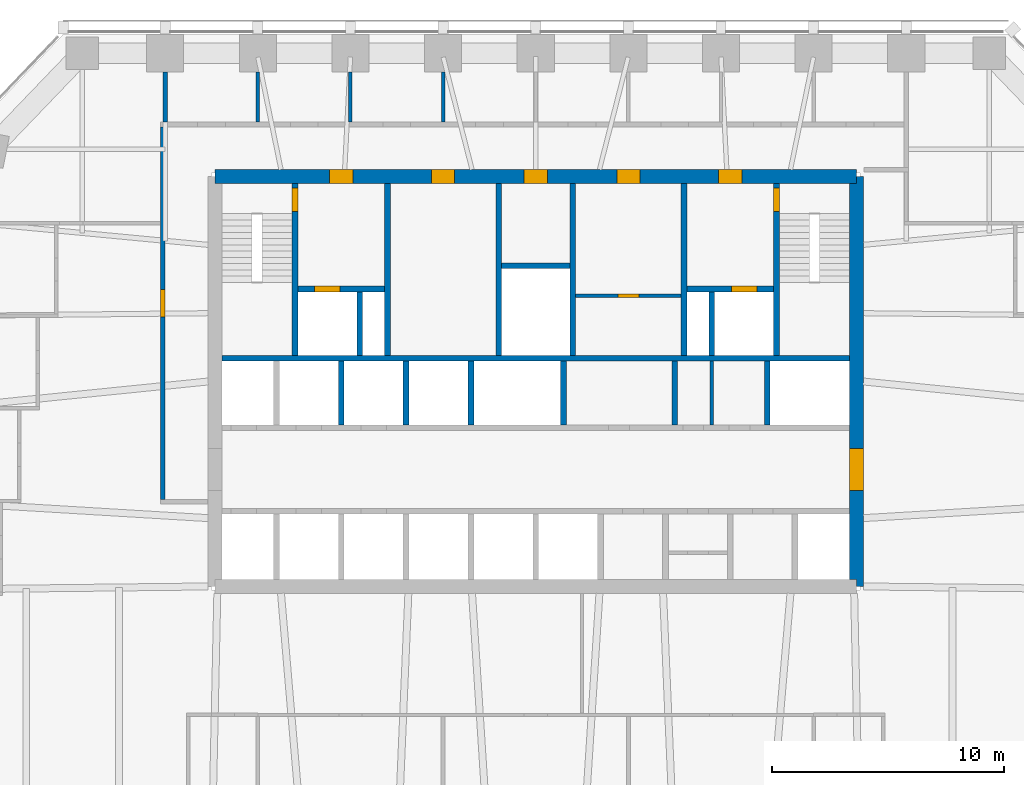
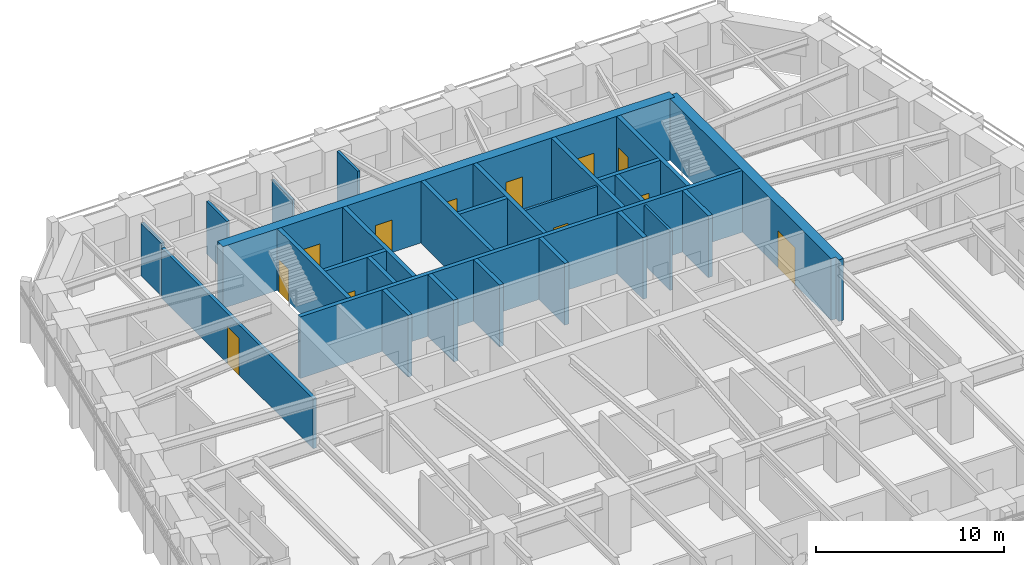
# One storey, part 8 of 11: 27 walls, 12 doors, 12 openings.
"""IFC4 building model written with IfcOpenShell, lengths in metres."""

from ifc_helpers import new_model, si_unit, direction, frame, frame_2d, origin, place, context, subcontext, project, spatial, polyline, rectangle, outline, extrude, material, layer, layer_set, type_object, element, fill, save


model = new_model("IFC4")

# Units and contexts
model_context = context("Model", 3, precision=1e-05, world=origin(), true_north=direction((0.0, 1.0)))
body_context = subcontext(model_context, "Body", "Model", "MODEL_VIEW")
ifc_project = project(units=[si_unit("LENGTHUNIT", "METRE"), si_unit("AREAUNIT", "SQUARE_METRE"), si_unit("VOLUMEUNIT", "CUBIC_METRE"), si_unit("PLANEANGLEUNIT", "RADIAN"), si_unit("MASSUNIT", "GRAM", prefix="KILO")], contexts=[model_context])

# Site, building, storey
site_placement = place(None, origin())
site = spatial("IfcSite", under=ifc_project, at=site_placement, CompositionType="ELEMENT")
building_placement = place(site_placement, origin())
building = spatial("IfcBuilding", under=site, at=building_placement, Name="Isbrekke Arena Tower", CompositionType="ELEMENT")
storey_placement = place(building_placement, frame((0.0, 0.0, 206.0)))
storey = spatial("IfcBuildingStorey", under=building, at=storey_placement, Name="L47", CompositionType="ELEMENT", Elevation=206.0)

# Wall, opening, door
ifc_material_1 = material(Name="Concrete B55 (C55/67)", Category="concrete")
ifc_layer_1 = layer(ifc_material_1, 0.60009765625)
ifc_layer_set_1 = layer_set([ifc_layer_1], Name="CW4 CORE WALL 600")
wall_type_1 = type_object("IfcWallType", Name="CW4 CORE WALL 600", PredefinedType="SHEAR", material=ifc_layer_set_1)
wall_1_placement = place(storey_placement, frame((13.85009765625, 6.14990234375, 0.0), z_axis=(0.0, 0.0, 1.0), x_axis=(0.0, 1.0, 0.0)))
wall_1 = element("IfcWall", 1, at=wall_1_placement, inside=storey, type_object=wall_type_1, Name="Core wall E L47", PredefinedType="SHEAR", context=body_context, shape_type="SweptSolid", body=[
    extrude(outline(polyline([(0.0, -0.300048828125), (17.7001953125, -0.300048828125), (17.7001953125, 0.0), (17.400146484375, 0.0), (17.400146484375, 0.300048828125), (0.300048828125, 0.300048828125), (0.300048828125, 0.0), (0.0, 0.0), (0.0, -0.300048828125)])), origin(), (0.0, 0.0, 1.0), 4.0),
])
opening_1_placement = place(wall_1_placement, frame((4.14990234375, 0.0, 0.0)))
opening_1 = element("IfcOpeningElement", 2, at=opening_1_placement, cuts=wall_1, Name="Opening D1", PredefinedType="OPENING", context=body_context, shape_type="SweptSolid", body=[
    extrude(rectangle(XDim=1.800048828125, YDim=2.39990234375, at=frame_2d((0.89990234375, 1.199951171875))), frame((0.0, 0.31494140625, 0.0), z_axis=(0.0, -1.0, 0.0), x_axis=(1.0, 0.0, 0.0)), (0.0, 0.0, 1.0), 0.6298828125),
])
ifc_material_2 = material(Name="Steel-framed glazed fire door", Category="steel")
door_type_1 = type_object("IfcDoorType", Name="D1 CORE LOBBY DOOR 1800 x 2400", OperationType="DOUBLE_DOOR_SINGLE_SWING", PredefinedType="DOOR", material=ifc_material_2)
door_1_placement = place(opening_1_placement, origin())
door_1 = element("IfcDoor", 3, at=door_1_placement, inside=storey, type_object=door_type_1, Name="D1 lift lobby door east L47", OperationType="DOUBLE_DOOR_SINGLE_SWING", OverallHeight=2.39990234375, OverallWidth=1.800048828125, PredefinedType="DOOR", context=body_context, shape_type="SweptSolid", body=[
    extrude(rectangle(XDim=1.800048828125, YDim=2.39990234375, at=frame_2d((0.89990234375, 1.199951171875))), frame((0.0, 0.2998046875, 0.0), z_axis=(0.0, -1.0, 0.0), x_axis=(1.0, 0.0, 0.0)), (0.0, 0.0, 1.0), 0.599609375),
])
fill(opening_1, door_1)

# Wall, openings, doors
wall_2_placement = place(storey_placement, frame((13.85009765625, 23.85009765625, 0.0), z_axis=(0.0, 0.0, 1.0), x_axis=(-1.0, 0.0, 0.0)))
wall_2 = element("IfcWall", 4, at=wall_2_placement, inside=storey, type_object=wall_type_1, Name="Core wall N L47", PredefinedType="SHEAR", context=body_context, shape_type="SweptSolid", body=[
    extrude(rectangle(XDim=27.7001953125, YDim=0.60009765625, at=frame_2d((13.85009765625, 0.0))), origin(), (0.0, 0.0, 1.0), 4.0),
])
opening_2_placement = place(wall_2_placement, frame((21.75, 0.0, 0.0)))
opening_2 = element("IfcOpeningElement", 5, at=opening_2_placement, cuts=wall_2, Name="Opening D3", PredefinedType="OPENING", context=body_context, shape_type="SweptSolid", body=[
    extrude(rectangle(XDim=1.0, YDim=2.10009765625, at=frame_2d((0.5, 1.050048828125))), frame((0.0, 0.31494140625, 0.0), z_axis=(0.0, -1.0, 0.0), x_axis=(1.0, 0.0, 0.0)), (0.0, 0.0, 1.0), 0.6298828125),
])
opening_3_placement = place(wall_2_placement, frame((4.949951171875, 0.0, 0.0)))
opening_3 = element("IfcOpeningElement", 6, at=opening_3_placement, cuts=wall_2, Name="Opening D3", PredefinedType="OPENING", context=body_context, shape_type="SweptSolid", body=[
    extrude(rectangle(XDim=1.0, YDim=2.10009765625, at=frame_2d((0.5, 1.050048828125))), frame((0.0, 0.31494140625, 0.0), z_axis=(0.0, -1.0, 0.0), x_axis=(1.0, 0.0, 0.0)), (0.0, 0.0, 1.0), 0.6298828125),
])
opening_4_placement = place(wall_2_placement, frame((17.35009765625, 0.0, 0.0)))
opening_4 = element("IfcOpeningElement", 7, at=opening_4_placement, cuts=wall_2, Name="Opening D4", PredefinedType="OPENING", context=body_context, shape_type="SweptSolid", body=[
    extrude(rectangle(XDim=1.0, YDim=2.10009765625, at=frame_2d((0.5, 1.050048828125))), frame((0.0, 0.31494140625, 0.0), z_axis=(0.0, -1.0, 0.0), x_axis=(1.0, 0.0, 0.0)), (0.0, 0.0, 1.0), 0.6298828125),
])
opening_5_placement = place(wall_2_placement, frame((13.35009765625, 0.0, 0.0)))
opening_5 = element("IfcOpeningElement", 8, at=opening_5_placement, cuts=wall_2, Name="Opening D4", PredefinedType="OPENING", context=body_context, shape_type="SweptSolid", body=[
    extrude(rectangle(XDim=1.0, YDim=2.10009765625, at=frame_2d((0.5, 1.050048828125))), frame((0.0, 0.31494140625, 0.0), z_axis=(0.0, -1.0, 0.0), x_axis=(1.0, 0.0, 0.0)), (0.0, 0.0, 1.0), 0.6298828125),
])
opening_6_placement = place(wall_2_placement, frame((9.35009765625, 0.0, 0.0)))
opening_6 = element("IfcOpeningElement", 9, at=opening_6_placement, cuts=wall_2, Name="Opening D4", PredefinedType="OPENING", context=body_context, shape_type="SweptSolid", body=[
    extrude(rectangle(XDim=1.0, YDim=2.10009765625, at=frame_2d((0.5, 1.050048828125))), frame((0.0, 0.31494140625, 0.0), z_axis=(0.0, -1.0, 0.0), x_axis=(1.0, 0.0, 0.0)), (0.0, 0.0, 1.0), 0.6298828125),
])
ifc_material_3 = material(Name="Steel fire door", Category="steel")
door_type_2 = type_object("IfcDoorType", Name="D3 FIRE LOBBY DOOR 1000 x 2100", OperationType="SINGLE_SWING_RIGHT", PredefinedType="DOOR", material=ifc_material_3)
door_2_placement = place(opening_2_placement, origin())
door_2 = element("IfcDoor", 10, at=door_2_placement, inside=storey, type_object=door_type_2, Name="D3 fire-fighting lobby door L47", OperationType="SINGLE_SWING_RIGHT", OverallHeight=2.10009765625, OverallWidth=1.0, PredefinedType="DOOR", context=body_context, shape_type="SweptSolid", body=[
    extrude(rectangle(XDim=1.0, YDim=2.10009765625, at=frame_2d((0.5, 1.050048828125))), frame((0.0, 0.2998046875, 0.0), z_axis=(0.0, -1.0, 0.0), x_axis=(1.0, 0.0, 0.0)), (0.0, 0.0, 1.0), 0.599609375),
])
fill(opening_2, door_2)
door_3_placement = place(opening_3_placement, origin())
door_3 = element("IfcDoor", 11, at=door_3_placement, inside=storey, type_object=door_type_2, Name="D3 fire-fighting lobby door L47", OperationType="SINGLE_SWING_RIGHT", OverallHeight=2.10009765625, OverallWidth=1.0, PredefinedType="DOOR", context=body_context, shape_type="SweptSolid", body=[
    extrude(rectangle(XDim=1.0, YDim=2.10009765625, at=frame_2d((0.5, 1.050048828125))), frame((0.0, 0.2998046875, 0.0), z_axis=(0.0, -1.0, 0.0), x_axis=(1.0, 0.0, 0.0)), (0.0, 0.0, 1.0), 0.599609375),
])
fill(opening_3, door_3)
ifc_material_4 = material(Name="Timber door", Category="wood")
door_type_3 = type_object("IfcDoorType", Name="D4 WC DOOR 1000 x 2100", OperationType="SINGLE_SWING_LEFT", PredefinedType="DOOR", material=ifc_material_4)
door_4_placement = place(opening_4_placement, origin())
door_4 = element("IfcDoor", 12, at=door_4_placement, inside=storey, type_object=door_type_3, Name="D4 wc female door L47", OperationType="SINGLE_SWING_LEFT", OverallHeight=2.10009765625, OverallWidth=1.0, PredefinedType="DOOR", context=body_context, shape_type="SweptSolid", body=[
    extrude(rectangle(XDim=1.0, YDim=2.10009765625, at=frame_2d((0.5, 1.050048828125))), frame((0.0, 0.2998046875, 0.0), z_axis=(0.0, -1.0, 0.0), x_axis=(1.0, 0.0, 0.0)), (0.0, 0.0, 1.0), 0.599609375),
])
fill(opening_4, door_4)
door_5_placement = place(opening_5_placement, origin())
door_5 = element("IfcDoor", 13, at=door_5_placement, inside=storey, type_object=door_type_3, Name="D4 accessible wc door L47", OperationType="SINGLE_SWING_LEFT", OverallHeight=2.10009765625, OverallWidth=1.0, PredefinedType="DOOR", context=body_context, shape_type="SweptSolid", body=[
    extrude(rectangle(XDim=1.0, YDim=2.10009765625, at=frame_2d((0.5, 1.050048828125))), frame((0.0, 0.2998046875, 0.0), z_axis=(0.0, -1.0, 0.0), x_axis=(1.0, 0.0, 0.0)), (0.0, 0.0, 1.0), 0.599609375),
])
fill(opening_5, door_5)
door_6_placement = place(opening_6_placement, origin())
door_6 = element("IfcDoor", 14, at=door_6_placement, inside=storey, type_object=door_type_3, Name="D4 wc male door L47", OperationType="SINGLE_SWING_LEFT", OverallHeight=2.10009765625, OverallWidth=1.0, PredefinedType="DOOR", context=body_context, shape_type="SweptSolid", body=[
    extrude(rectangle(XDim=1.0, YDim=2.10009765625, at=frame_2d((0.5, 1.050048828125))), frame((0.0, 0.2998046875, 0.0), z_axis=(0.0, -1.0, 0.0), x_axis=(1.0, 0.0, 0.0)), (0.0, 0.0, 1.0), 0.599609375),
])
fill(opening_6, door_6)

# Walls
ifc_material_5 = material(Name="Concrete B45 (C45/55)", Category="concrete")
ifc_layer_2 = layer(ifc_material_5, 0.25)
ifc_layer_set_2 = layer_set([ifc_layer_2], Name="CW6 SHAFT WALL 250")
wall_type_2 = type_object("IfcWallType", Name="CW6 SHAFT WALL 250", PredefinedType="SHEAR", material=ifc_layer_set_2)
wall_3_placement = place(storey_placement, frame((-13.550048828125, 16.0, 0.0), z_axis=(0.0, 0.0, 1.0), x_axis=(1.0, 0.0, 0.0)))
element("IfcWall", 15, at=wall_3_placement, inside=storey, type_object=wall_type_2, Name="Core wall NB L47", PredefinedType="SHEAR", context=body_context, shape_type="SweptSolid", body=[
    extrude(rectangle(XDim=27.10009765625, YDim=0.25, at=frame_2d((13.550048828125, 0.0))), origin(), (0.0, 0.0, 1.0), 4.0),
])
for number, where, z_axis, x_axis, name in (
    (16, (-8.39990234375, 13.125, 0.0), (0.0, 0.0, 1.0), (0.0, 1.0, 0.0), "Core wall SN02 L47"),
    (17, (-5.60009765625, 13.125, 0.0), (0.0, 0.0, 1.0), (0.0, 1.0, 0.0), "Core wall SN03 L47"),
    (18, (-2.800048828125, 13.125, 0.0), (0.0, 0.0, 1.0), (0.0, 1.0, 0.0), "Core wall SN04 L47"),
    (19, (1.199951171875, 13.125, 0.0), (0.0, 0.0, 1.0), (0.0, 1.0, 0.0), "Core wall SN05 L47"),
    (20, (6.0, 13.125, 0.0), (0.0, 0.0, 1.0), (0.0, 1.0, 0.0), "Core wall SN06 L47"),
    (21, (10.0, 13.125, 0.0), (0.0, 0.0, 1.0), (0.0, 1.0, 0.0), "Core wall SN07 L47"),
):
    element("IfcWall", number, at=place(storey_placement, frame(where, z_axis=z_axis, x_axis=x_axis)), inside=storey, type_object=wall_type_2, Name=name, PredefinedType="SHEAR", context=body_context, shape_type="SweptSolid", body=[
        extrude(rectangle(XDim=2.75, YDim=0.25, at=frame_2d((1.375, 0.0))), origin(), (0.0, 0.0, 1.0), 4.0),
    ])

# Wall, opening, door
wall_4_placement = place(storey_placement, frame((-10.39990234375, 16.125, 0.0), z_axis=(0.0, 0.0, 1.0), x_axis=(0.0, 1.0, 0.0)))
wall_4 = element("IfcWall", 22, at=wall_4_placement, inside=storey, type_object=wall_type_2, Name="Core wall NV01 L47", PredefinedType="SHEAR", context=body_context, shape_type="SweptSolid", body=[
    extrude(rectangle(XDim=7.425048828125, YDim=0.25, at=frame_2d((3.71240234375, 0.0))), origin(), (0.0, 0.0, 1.0), 4.0),
])
opening_7_placement = place(wall_4_placement, frame((6.22509765625, 0.0, 0.0)))
opening_7 = element("IfcOpeningElement", 23, at=opening_7_placement, cuts=wall_4, Name="Opening D2", PredefinedType="OPENING", context=body_context, shape_type="SweptSolid", body=[
    extrude(rectangle(XDim=1.0, YDim=2.10009765625, at=frame_2d((0.5, 1.050048828125))), frame((0.0, 0.139892578125, 0.0), z_axis=(0.0, -1.0, 0.0), x_axis=(1.0, 0.0, 0.0)), (0.0, 0.0, 1.0), 0.27978515625),
])
ifc_material_6 = material(Name="Steel fire door", Category="steel")
door_type_4 = type_object("IfcDoorType", Name="D2 STAIR DOOR 1000 x 2100", OperationType="SINGLE_SWING_LEFT", PredefinedType="DOOR", material=ifc_material_6)
door_7_placement = place(opening_7_placement, origin())
door_7 = element("IfcDoor", 24, at=door_7_placement, inside=storey, type_object=door_type_4, Name="D2 stair door ST1 L47", OperationType="SINGLE_SWING_LEFT", OverallHeight=2.10009765625, OverallWidth=1.0, PredefinedType="DOOR", context=body_context, shape_type="SweptSolid", body=[
    extrude(rectangle(XDim=1.0, YDim=2.10009765625, at=frame_2d((0.5, 1.050048828125))), frame((0.0, 0.124755859375, 0.0), z_axis=(0.0, -1.0, 0.0), x_axis=(1.0, 0.0, 0.0)), (0.0, 0.0, 1.0), 0.24951171875),
])
fill(opening_7, door_7)

# Walls
for number, where, z_axis, x_axis, name in (
    (25, (-6.39990234375, 16.125, 0.0), (0.0, 0.0, 1.0), (0.0, 1.0, 0.0), "Core wall NV02 L47"),
    (26, (-1.60009765625, 16.125, 0.0), (0.0, 0.0, 1.0), (0.0, 1.0, 0.0), "Core wall NV03 L47"),
    (27, (1.60009765625, 16.125, 0.0), (0.0, 0.0, 1.0), (0.0, 1.0, 0.0), "Core wall NV04 L47"),
    (28, (6.39990234375, 16.125, 0.0), (0.0, 0.0, 1.0), (0.0, 1.0, 0.0), "Core wall NV05 L47"),
):
    element("IfcWall", number, at=place(storey_placement, frame(where, z_axis=z_axis, x_axis=x_axis)), inside=storey, type_object=wall_type_2, Name=name, PredefinedType="SHEAR", context=body_context, shape_type="SweptSolid", body=[
        extrude(rectangle(XDim=7.425048828125, YDim=0.25, at=frame_2d((3.71240234375, 0.0))), origin(), (0.0, 0.0, 1.0), 4.0),
    ])

# Wall, opening, door
wall_5_placement = place(storey_placement, frame((10.39990234375, 16.125, 0.0), z_axis=(0.0, 0.0, 1.0), x_axis=(0.0, 1.0, 0.0)))
wall_5 = element("IfcWall", 29, at=wall_5_placement, inside=storey, type_object=wall_type_2, Name="Core wall NV06 L47", PredefinedType="SHEAR", context=body_context, shape_type="SweptSolid", body=[
    extrude(rectangle(XDim=7.425048828125, YDim=0.25, at=frame_2d((3.71240234375, 0.0))), origin(), (0.0, 0.0, 1.0), 4.0),
])
opening_8_placement = place(wall_5_placement, frame((6.22509765625, 0.0, 0.0)))
opening_8 = element("IfcOpeningElement", 30, at=opening_8_placement, cuts=wall_5, Name="Opening D2", PredefinedType="OPENING", context=body_context, shape_type="SweptSolid", body=[
    extrude(rectangle(XDim=1.0, YDim=2.10009765625, at=frame_2d((0.5, 1.050048828125))), frame((0.0, 0.139892578125, 0.0), z_axis=(0.0, -1.0, 0.0), x_axis=(1.0, 0.0, 0.0)), (0.0, 0.0, 1.0), 0.27978515625),
])
door_8_placement = place(opening_8_placement, origin())
door_8 = element("IfcDoor", 31, at=door_8_placement, inside=storey, type_object=door_type_4, Name="D2 stair door ST2 L47", OperationType="SINGLE_SWING_LEFT", OverallHeight=2.10009765625, OverallWidth=1.0, PredefinedType="DOOR", context=body_context, shape_type="SweptSolid", body=[
    extrude(rectangle(XDim=1.0, YDim=2.10009765625, at=frame_2d((0.5, 1.050048828125))), frame((0.0, 0.124755859375, 0.0), z_axis=(0.0, -1.0, 0.0), x_axis=(1.0, 0.0, 0.0)), (0.0, 0.0, 1.0), 0.24951171875),
])
fill(opening_8, door_8)

wall_6_placement = place(storey_placement, frame((-10.27490234375, 19.0, 0.0), z_axis=(0.0, 0.0, 1.0), x_axis=(1.0, 0.0, 0.0)))
wall_6 = element("IfcWall", 32, at=wall_6_placement, inside=storey, type_object=wall_type_2, Name="Core wall NFW L47", PredefinedType="SHEAR", context=body_context, shape_type="SweptSolid", body=[
    extrude(rectangle(XDim=3.75, YDim=0.25, at=frame_2d((1.875, 0.0))), origin(), (0.0, 0.0, 1.0), 4.0),
])
opening_9_placement = place(wall_6_placement, frame((0.72509765625, 0.0, 0.0)))
opening_9 = element("IfcOpeningElement", 33, at=opening_9_placement, cuts=wall_6, Name="Opening LD2", PredefinedType="OPENING", context=body_context, shape_type="SweptSolid", body=[
    extrude(rectangle(XDim=1.10009765625, YDim=2.10009765625, at=frame_2d((0.550048828125, 1.050048828125))), frame((0.0, 0.139892578125, 0.0), z_axis=(0.0, -1.0, 0.0), x_axis=(1.0, 0.0, 0.0)), (0.0, 0.0, 1.0), 0.27978515625),
])
ifc_material_7 = material(Name="Stainless steel lift landing door", Category="steel")
door_type_5 = type_object("IfcDoorType", Name="LD2 FIRE-FIGHTING LIFT LANDING DOOR 1100 x 2100", OperationType="SLIDING_TO_RIGHT", PredefinedType="DOOR", material=ifc_material_7)
door_9_placement = place(opening_9_placement, origin())
door_9 = element("IfcDoor", 34, at=door_9_placement, inside=storey, type_object=door_type_5, Name="LD2 lift landing door LF L47", OperationType="SLIDING_TO_RIGHT", OverallHeight=2.10009765625, OverallWidth=1.10009765625, PredefinedType="DOOR", context=body_context, shape_type="SweptSolid", body=[
    extrude(rectangle(XDim=1.10009765625, YDim=2.10009765625, at=frame_2d((0.550048828125, 1.050048828125))), frame((0.0, 0.124755859375, 0.0), z_axis=(0.0, -1.0, 0.0), x_axis=(1.0, 0.0, 0.0)), (0.0, 0.0, 1.0), 0.24951171875),
])
fill(opening_9, door_9)

wall_7_placement = place(storey_placement, frame((6.52490234375, 19.0, 0.0), z_axis=(0.0, 0.0, 1.0), x_axis=(1.0, 0.0, 0.0)))
wall_7 = element("IfcWall", 35, at=wall_7_placement, inside=storey, type_object=wall_type_2, Name="Core wall NFE L47", PredefinedType="SHEAR", context=body_context, shape_type="SweptSolid", body=[
    extrude(rectangle(XDim=3.75, YDim=0.25, at=frame_2d((1.875, 0.0))), origin(), (0.0, 0.0, 1.0), 4.0),
])
opening_10_placement = place(wall_7_placement, frame((1.925048828125, 0.0, 0.0)))
opening_10 = element("IfcOpeningElement", 36, at=opening_10_placement, cuts=wall_7, Name="Opening LD2", PredefinedType="OPENING", context=body_context, shape_type="SweptSolid", body=[
    extrude(rectangle(XDim=1.10009765625, YDim=2.10009765625, at=frame_2d((0.550048828125, 1.050048828125))), frame((0.0, 0.139892578125, 0.0), z_axis=(0.0, -1.0, 0.0), x_axis=(1.0, 0.0, 0.0)), (0.0, 0.0, 1.0), 0.27978515625),
])
door_10_placement = place(opening_10_placement, origin())
door_10 = element("IfcDoor", 37, at=door_10_placement, inside=storey, type_object=door_type_5, Name="LD2 lift landing door LF L47", OperationType="SLIDING_TO_RIGHT", OverallHeight=2.10009765625, OverallWidth=1.10009765625, PredefinedType="DOOR", context=body_context, shape_type="SweptSolid", body=[
    extrude(rectangle(XDim=1.10009765625, YDim=2.10009765625, at=frame_2d((0.550048828125, 1.050048828125))), frame((0.0, 0.124755859375, 0.0), z_axis=(0.0, -1.0, 0.0), x_axis=(1.0, 0.0, 0.0)), (0.0, 0.0, 1.0), 0.24951171875),
])
fill(opening_10, door_10)

# Walls
for number, where, z_axis, x_axis, name in (
    (38, (-7.60009765625, 16.125, 0.0), (0.0, 0.0, 1.0), (0.0, 1.0, 0.0), "Core wall NFS1 L47"),
    (39, (7.60009765625, 16.125, 0.0), (0.0, 0.0, 1.0), (0.0, 1.0, 0.0), "Core wall NFS2 L47"),
):
    element("IfcWall", number, at=place(storey_placement, frame(where, z_axis=z_axis, x_axis=x_axis)), inside=storey, type_object=wall_type_2, Name=name, PredefinedType="SHEAR", context=body_context, shape_type="SweptSolid", body=[
        extrude(rectangle(XDim=2.75, YDim=0.25, at=frame_2d((1.375, 0.0))), origin(), (0.0, 0.0, 1.0), 4.0),
    ])
wall_8_placement = place(storey_placement, frame((-1.47509765625, 20.0, 0.0), z_axis=(0.0, 0.0, 1.0), x_axis=(1.0, 0.0, 0.0)))
element("IfcWall", 40, at=wall_8_placement, inside=storey, type_object=wall_type_2, Name="Core wall NWC L47", PredefinedType="SHEAR", context=body_context, shape_type="SweptSolid", body=[
    extrude(rectangle(XDim=2.9501953125, YDim=0.25, at=frame_2d((1.47509765625, 0.0))), origin(), (0.0, 0.0, 1.0), 4.0),
])
ifc_material_8 = material(Name="Gypsum board partition on steel studs", Category="steel")
ifc_layer_3 = layer(ifc_material_8, 0.14990234375)
ifc_layer_set_3 = layer_set([ifc_layer_3], Name="IW1 PARTITION 150")
wall_type_3 = type_object("IfcWallType", Name="IW1 PARTITION 150", PredefinedType="PARTITIONING", material=ifc_layer_set_3)
for number, where, z_axis, x_axis, name in (
    (41, (-12.0, 26.199951171875, 0.0), (0.0, 0.0, 1.0), (0.0, 1.0, 0.0), "IW1 partition 150 L47"),
    (42, (-8.0, 26.199951171875, 0.0), (0.0, 0.0, 1.0), (0.0, 1.0, 0.0), "IW1 partition 150 L47"),
):
    element("IfcWall", number, at=place(storey_placement, frame(where, z_axis=z_axis, x_axis=x_axis)), inside=storey, type_object=wall_type_3, Name=name, PredefinedType="PARTITIONING", context=body_context, shape_type="SweptSolid", body=[
        extrude(rectangle(XDim=2.175048828125, YDim=0.14990234375, at=frame_2d((1.08740234375, 0.0))), origin(), (0.0, 0.0, 1.0), 3.39990234375),
    ])
wall_9_placement = place(storey_placement, frame((-4.0, 26.199951171875, 0.0), z_axis=(0.0, 0.0, 1.0), x_axis=(0.0, 1.0, 0.0)))
element("IfcWall", 43, at=wall_9_placement, inside=storey, type_object=wall_type_3, Name="IW1 partition 150 L47", PredefinedType="PARTITIONING", context=body_context, shape_type="SweptSolid", body=[
    extrude(rectangle(XDim=2.175048828125, YDim=0.14990234375, at=frame_2d((1.08740234375, 0.0))), origin(), (0.0, 0.0, 1.0), 3.85009765625),
])

# Wall, opening, door
ifc_material_9 = material(Name="Gypsum board fire-cell wall on steel studs, two layers each side", Category="steel")
ifc_layer_4 = layer(ifc_material_9, 0.199951171875)
ifc_layer_set_4 = layer_set([ifc_layer_4], Name="IW3 FIRE-CELL WALL 200")
wall_type_4 = type_object("IfcWallType", Name="IW3 FIRE-CELL WALL 200", PredefinedType="PARTITIONING", material=ifc_layer_set_4)
wall_10_placement = place(storey_placement, frame((-16.10009765625, 9.89990234375, 0.0), z_axis=(0.0, 0.0, 1.0), x_axis=(0.0, 1.0, 0.0)))
wall_10 = element("IfcWall", 44, at=wall_10_placement, inside=storey, type_object=wall_type_4, Name="IW3 fire-cell wall 200 L47", PredefinedType="PARTITIONING", context=body_context, shape_type="SweptSolid", body=[
    extrude(rectangle(XDim=16.10009765625, YDim=0.199951171875, at=frame_2d((8.050048828125, 0.0))), origin(), (0.0, 0.0, 1.0), 3.25),
])
opening_11_placement = place(wall_10_placement, frame((7.8798828125, 0.0, 0.0)))
opening_11 = element("IfcOpeningElement", 45, at=opening_11_placement, cuts=wall_10, Name="Opening D12", PredefinedType="OPENING", context=body_context, shape_type="SweptSolid", body=[
    extrude(rectangle(XDim=1.199951171875, YDim=2.39990234375, at=frame_2d((0.60009765625, 1.199951171875))), frame((0.0, 0.11474609375, 0.0), z_axis=(0.0, -1.0, 0.0), x_axis=(1.0, 0.0, 0.0)), (0.0, 0.0, 1.0), 0.229736328125),
])
ifc_material_10 = material(Name="Timber fire door with vision panel", Category="wood")
door_type_6 = type_object("IfcDoorType", Name="D12 SUITE ENTRANCE DOOR 1200 x 2400", OperationType="SINGLE_SWING_LEFT", PredefinedType="DOOR", material=ifc_material_10)
door_11_placement = place(opening_11_placement, origin())
door_11 = element("IfcDoor", 46, at=door_11_placement, inside=storey, type_object=door_type_6, Name="D12 suite entrance A door L47", OperationType="SINGLE_SWING_LEFT", OverallHeight=2.39990234375, OverallWidth=1.199951171875, PredefinedType="DOOR", context=body_context, shape_type="SweptSolid", body=[
    extrude(rectangle(XDim=1.199951171875, YDim=2.39990234375, at=frame_2d((0.60009765625, 1.199951171875))), frame((0.0, 0.099609375, 0.0), z_axis=(0.0, -1.0, 0.0), x_axis=(1.0, 0.0, 0.0)), (0.0, 0.0, 1.0), 0.199462890625),
])
fill(opening_11, door_11)

# Wall
wall_11_placement = place(storey_placement, frame((-16.0, 26.199951171875, 0.0), z_axis=(0.0, 0.0, 1.0), x_axis=(0.0, 1.0, 0.0)))
element("IfcWall", 47, at=wall_11_placement, inside=storey, type_object=wall_type_4, Name="IW3 fire-cell wall 200 L47", PredefinedType="PARTITIONING", context=body_context, shape_type="SweptSolid", body=[
    extrude(rectangle(XDim=2.175048828125, YDim=0.199951171875, at=frame_2d((1.08740234375, 0.0))), origin(), (0.0, 0.0, 1.0), 3.39990234375),
])

# Wall, opening, door
ifc_material_11 = material(Name="Gypsum board fire-rated partition on steel studs, two layers each side", Category="steel")
ifc_layer_5 = layer(ifc_material_11, 0.14990234375)
ifc_layer_set_5 = layer_set([ifc_layer_5], Name="IW5 FIRE-RATED PARTITION 150")
wall_type_5 = type_object("IfcWallType", Name="IW5 FIRE-RATED PARTITION 150", PredefinedType="PARTITIONING", material=ifc_layer_set_5)
wall_12_placement = place(storey_placement, frame((1.72509765625, 18.699951171875, 0.0), z_axis=(0.0, 0.0, 1.0), x_axis=(1.0, 0.0, 0.0)))
wall_12 = element("IfcWall", 48, at=wall_12_placement, inside=storey, type_object=wall_type_5, Name="IW5 fire-rated partition L47 cleaner's store M", PredefinedType="PARTITIONING", context=body_context, shape_type="SweptSolid", body=[
    extrude(rectangle(XDim=4.5498046875, YDim=0.14990234375, at=frame_2d((2.27490234375, 0.0))), origin(), (0.0, 0.0, 1.0), 3.85009765625),
])
opening_12_placement = place(wall_12_placement, frame((1.824951171875, 0.0, 0.0)))
opening_12 = element("IfcOpeningElement", 49, at=opening_12_placement, cuts=wall_12, Name="Opening D5", PredefinedType="OPENING", context=body_context, shape_type="SweptSolid", body=[
    extrude(rectangle(XDim=0.89990234375, YDim=2.10009765625, at=frame_2d((0.449951171875, 1.050048828125))), frame((0.0, 0.08984375, 0.0), z_axis=(0.0, -1.0, 0.0), x_axis=(1.0, 0.0, 0.0)), (0.0, 0.0, 1.0), 0.1796875),
])
ifc_material_12 = material(Name="Steel fire door", Category="steel")
door_type_7 = type_object("IfcDoorType", Name="D5 SERVICE DOOR 900 x 2100", OperationType="SINGLE_SWING_LEFT", PredefinedType="DOOR", material=ifc_material_12)
door_12_placement = place(opening_12_placement, origin())
door_12 = element("IfcDoor", 50, at=door_12_placement, inside=storey, type_object=door_type_7, Name="D5 cleaner's store door L47", OperationType="SINGLE_SWING_LEFT", OverallHeight=2.10009765625, OverallWidth=0.89990234375, PredefinedType="DOOR", context=body_context, shape_type="SweptSolid", body=[
    extrude(rectangle(XDim=0.89990234375, YDim=2.10009765625, at=frame_2d((0.449951171875, 1.050048828125))), frame((0.0, 0.07470703125, 0.0), z_axis=(0.0, -1.0, 0.0), x_axis=(1.0, 0.0, 0.0)), (0.0, 0.0, 1.0), 0.1494140625),
])
fill(opening_12, door_12)

# Wall
wall_13_placement = place(storey_placement, frame((7.60009765625, 13.125, 0.0), z_axis=(0.0, 0.0, 1.0), x_axis=(0.0, 1.0, 0.0)))
element("IfcWall", 51, at=wall_13_placement, inside=storey, type_object=wall_type_5, Name="IW5 fire-rated partition L47 core service rooms 1", PredefinedType="PARTITIONING", context=body_context, shape_type="SweptSolid", body=[
    extrude(rectangle(XDim=2.75, YDim=0.14990234375, at=frame_2d((1.375, 0.0))), origin(), (0.0, 0.0, 1.0), 3.85009765625),
])

save(model, "model.ifc")
